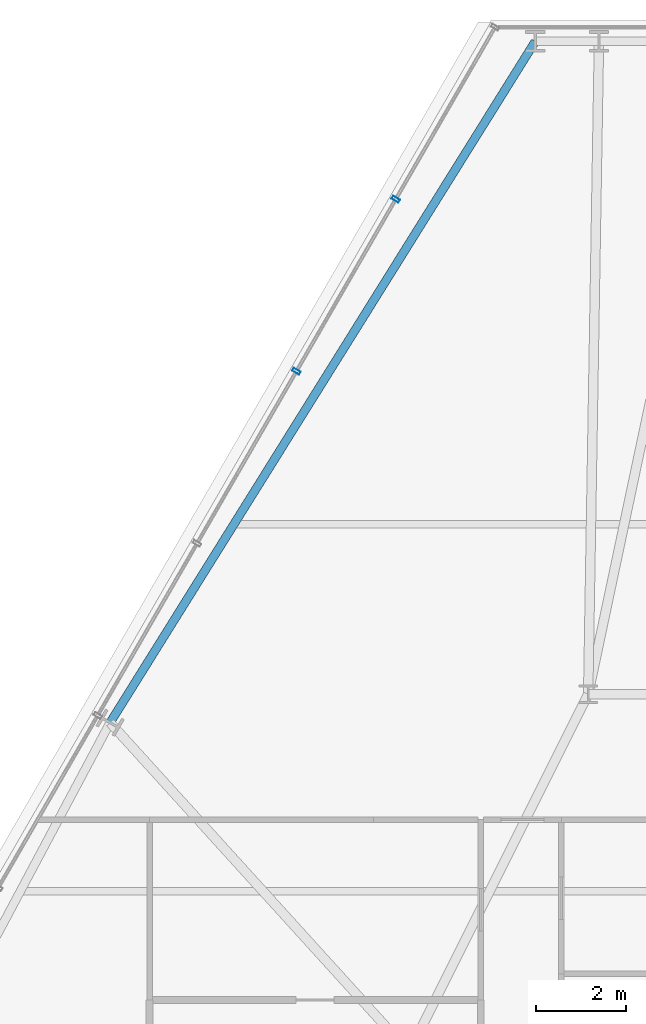
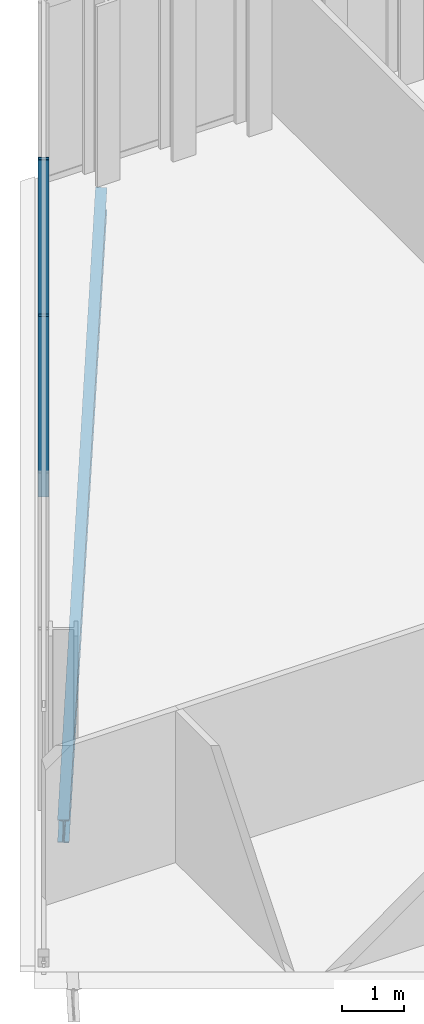
# One storey, part 20 of 31: 2 members, 1 beam, 1 element without a shape of its own.
"""IFC4 building model written with IfcOpenShell, lengths in metres."""

from ifc_helpers import new_model, si_unit, direction, frame, origin, origin_2d, place, context, subcontext, project, spatial, hollow_rectangle, i_section, extrude, material, layer, layer_set, material_profile, profile_set, type_object, element, aggregate, save


model = new_model("IFC4")

# Units and contexts
model_context = context("Model", 3, precision=1e-05, world=origin(), true_north=direction((0.0, 1.0)))
body_context = subcontext(model_context, "Body", "Model", "MODEL_VIEW")
ifc_project = project(units=[si_unit("LENGTHUNIT", "METRE"), si_unit("AREAUNIT", "SQUARE_METRE"), si_unit("VOLUMEUNIT", "CUBIC_METRE"), si_unit("PLANEANGLEUNIT", "RADIAN"), si_unit("MASSUNIT", "GRAM", prefix="KILO")], contexts=[model_context])

# Site, building, storey
site_placement = place(None, origin())
site = spatial("IfcSite", under=ifc_project, at=site_placement, CompositionType="ELEMENT")
building_placement = place(site_placement, origin())
building = spatial("IfcBuilding", under=site, at=building_placement, Name="Ndaravel Arena Tower", CompositionType="ELEMENT")
storey_placement = place(building_placement, frame((0.0, 0.0, 138.39990234375)))
storey = spatial("IfcBuildingStorey", under=building, at=storey_placement, Name="L32", CompositionType="ELEMENT", Elevation=138.39990234375)

# Beam
ifc_material_1 = material(Name="Steel S355", Category="steel")
ifc_material_profile_1 = material_profile(ifc_material_1, i_section(OverallWidth=0.18994140625, OverallDepth=0.449951171875, WebThickness=0.009521484375, FlangeThickness=0.0146484375, FilletRadius=0.02099609375, at=origin_2d()), Name="IPE 450")
ifc_profile_set_1 = profile_set([ifc_material_profile_1], Name="Steel S355")
beam_type = type_object("IfcBeamType", Name="BM-SPAN-IPE450", PredefinedType="SPANDREL", material=ifc_profile_set_1)
beam_placement = place(storey_placement, frame((37.01708984375, 45.784912109375, -0.44482421875), z_axis=(-0.529460656286, -0.848334493844, 0.0), x_axis=(0.848334493844, -0.529460656286, 0.0)))
element("IfcBeam", 1, at=beam_placement, inside=storey, type_object=beam_type, Name="L32 Perimeter Spandrel Beam SP-18", PredefinedType="SPANDREL", context=body_context, shape_type="SweptSolid", body=[
    extrude(i_section(OverallWidth=0.18994140625, OverallDepth=0.449951171875, WebThickness=0.009521484375, FlangeThickness=0.0146484375, FilletRadius=0.02099609375, at=origin_2d()), origin(), (0.0, 0.0, 1.0), 17.94189453125),
])

# Curtain wall, members
ifc_material_2 = material(Name="Aluminium", Category="aluminium")
ifc_layer = layer(ifc_material_2, 0.179931640625)
ifc_layer_set = layer_set([ifc_layer], Name="Aluminium")
curtain_wall_type = type_object("IfcCurtainWallType", Name="CW-SYS-03", PredefinedType="NOTDEFINED", material=ifc_layer_set)
curtain_wall_placement = place(storey_placement, origin())
curtain_wall = element("IfcCurtainWall", 2, at=curtain_wall_placement, inside=storey, type_object=curtain_wall_type, Name="L32 Faceted Crystal Curtain Wall CW-L32-E05", PredefinedType="NOTDEFINED")
ifc_material_3 = material(Name="Aluminium", Category="aluminium")
ifc_material_profile_2 = material_profile(ifc_material_3, hollow_rectangle(XDim=0.074951171875, YDim=0.179931640625, WallThickness=0.00390625, at=origin_2d()), Name="CW MULLION 75x180x4")
ifc_profile_set_2 = profile_set([ifc_material_profile_2], Name="Aluminium")
member_type = type_object("IfcMemberType", Name="MEM-CW-MUL180", PredefinedType="MULLION", material=ifc_profile_set_2)
member_1_placement = place(storey_placement, frame((33.900634765625, 42.259765625, 0.0), z_axis=(0.0, 0.0, 1.0), x_axis=(-0.5, -0.866025403784, 0.0)))
member_1 = element("IfcMember", 3, at=member_1_placement, type_object=member_type, Name="CW-L32-E05 Mullion 01", PredefinedType="MULLION", context=body_context, shape_type="SweptSolid", body=[
    extrude(hollow_rectangle(XDim=0.074951171875, YDim=0.179931640625, WallThickness=0.00390625, at=origin_2d()), origin(), (0.0, 0.0, 1.0), 3.580078125),
])
member_2_placement = place(storey_placement, frame((31.6806640625, 38.41455078125, 0.0), z_axis=(0.0, 0.0, 1.0), x_axis=(-0.5, -0.866025403784, 0.0)))
member_2 = element("IfcMember", 4, at=member_2_placement, type_object=member_type, Name="CW-L32-E05 Mullion 02", PredefinedType="MULLION", context=body_context, shape_type="SweptSolid", body=[
    extrude(hollow_rectangle(XDim=0.074951171875, YDim=0.179931640625, WallThickness=0.00390625, at=origin_2d()), origin(), (0.0, 0.0, 1.0), 3.580078125),
])
aggregate(curtain_wall, [member_1, member_2])

save(model, "model.ifc")
